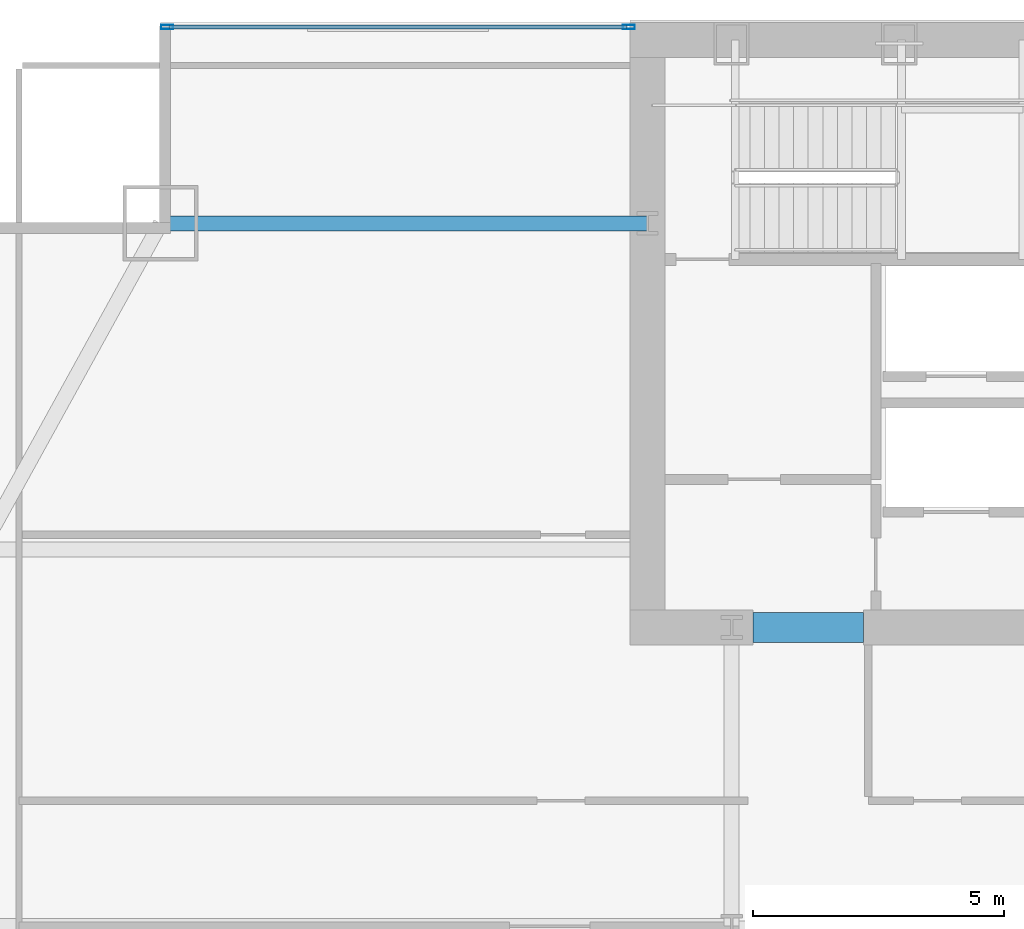
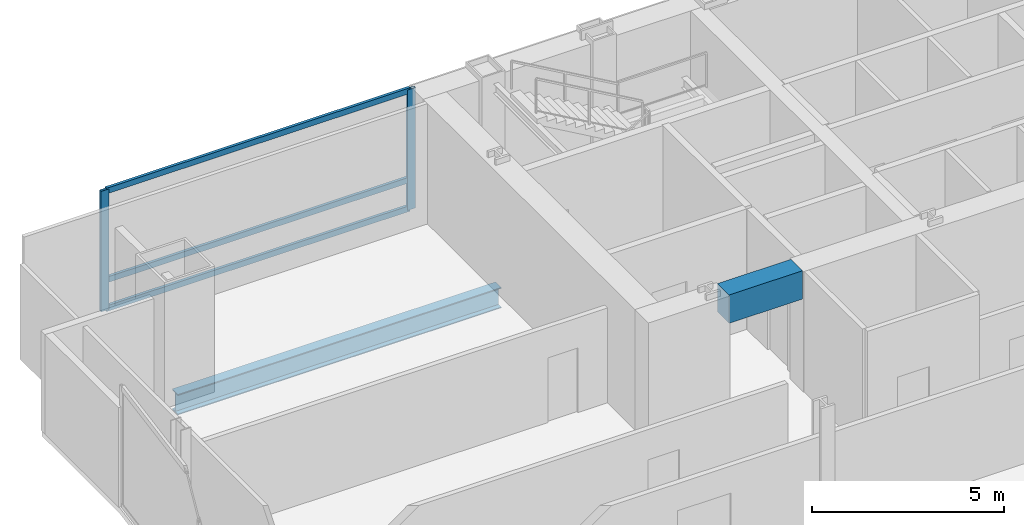
# One storey, part 18 of 30: 5 members, 2 beams, 1 element without a shape of its own.
"""IFC4 building model written with IfcOpenShell, lengths in metres."""

from ifc_helpers import new_model, si_unit, direction, frame, origin, origin_2d, place, context, subcontext, project, spatial, rectangle, hollow_rectangle, i_section, extrude, material, material_profile, profile_set, type_object, element, aggregate, save


model = new_model("IFC4")

# Units and contexts
model_context = context("Model", 3, precision=1e-05, world=origin(), true_north=direction((0.0, 1.0)))
body_context = subcontext(model_context, "Body", "Model", "MODEL_VIEW")
ifc_project = project(units=[si_unit("LENGTHUNIT", "METRE"), si_unit("AREAUNIT", "SQUARE_METRE"), si_unit("VOLUMEUNIT", "CUBIC_METRE"), si_unit("PLANEANGLEUNIT", "RADIAN"), si_unit("MASSUNIT", "GRAM", prefix="KILO")], contexts=[model_context])

# Site, building, storey
site_placement = place(None, origin())
site = spatial("IfcSite", under=ifc_project, at=site_placement, CompositionType="ELEMENT")
building_placement = place(site_placement, origin())
building = spatial("IfcBuilding", under=site, at=building_placement, Name="Khoronbel Lancet Exchange", CompositionType="ELEMENT")
storey_placement = place(building_placement, frame((0.0, 0.0, 90.60009765625)))
storey = spatial("IfcBuildingStorey", under=building, at=storey_placement, Name="L21", CompositionType="ELEMENT", Elevation=90.60009765625)

# Beams
ifc_material_1 = material(Name="Concrete C80/95", Category="concrete")
ifc_material_profile_1 = material_profile(ifc_material_1, rectangle(XDim=0.60009765625, YDim=0.89990234375, at=origin_2d()), Name="RC 600x900")
ifc_profile_set_1 = profile_set([ifc_material_profile_1], Name="Concrete C80/95")
beam_type_1 = type_object("IfcBeamType", Name="BM-BL1", PredefinedType="LINTEL", material=ifc_profile_set_1)
beam_1_placement = place(storey_placement, frame((18.64990234375, 41.64990234375, 3.369873046875), z_axis=(1.0, 0.0, 0.0), x_axis=(0.0, 1.0, 0.0)))
element("IfcBeam", 1, at=beam_1_placement, inside=storey, type_object=beam_type_1, Name="Level L21 rear core coupling lintel L1", PredefinedType="LINTEL", context=body_context, shape_type="SweptSolid", body=[
    extrude(rectangle(XDim=0.60009765625, YDim=0.89990234375, at=origin_2d()), origin(), (0.0, 0.0, 1.0), 2.2001953125),
])
ifc_material_2 = material(Name="Steel S355", Category="steel")
ifc_material_profile_2 = material_profile(ifc_material_2, i_section(OverallWidth=0.300048828125, OverallDepth=0.64990234375, WebThickness=0.01611328125, FlangeThickness=0.031005859375, at=origin_2d()), Name="HEB 650")
ifc_profile_set_2 = profile_set([ifc_material_profile_2], Name="Steel S355")
beam_type_2 = type_object("IfcBeamType", Name="BM-BSP1", PredefinedType="SPANDREL", material=ifc_profile_set_2)
beam_2_placement = place(storey_placement, frame((6.85009765625, 49.699951171875, -0.505126953125), z_axis=(1.0, 0.0, 0.0), x_axis=(0.0, 1.0, 0.0)))
element("IfcBeam", 2, at=beam_2_placement, inside=storey, type_object=beam_type_2, Name="Level L21 north flank tie spandrel SP22", PredefinedType="SPANDREL", context=body_context, shape_type="SweptSolid", body=[
    extrude(i_section(OverallWidth=0.300048828125, OverallDepth=0.64990234375, WebThickness=0.01611328125, FlangeThickness=0.031005859375, at=origin_2d()), origin(), (0.0, 0.0, 1.0), 9.699951171875),
])

# Curtain wall, members
ifc_material_3 = material(Name="Low-E Solar Control Insulating Glass", Category="glass")
curtain_wall_type = type_object("IfcCurtainWallType", Name="CW-2", PredefinedType="NOTDEFINED", material=ifc_material_3)
curtain_wall_placement = place(storey_placement, origin())
curtain_wall = element("IfcCurtainWall", 3, at=curtain_wall_placement, inside=storey, type_object=curtain_wall_type, Name="Unitised curtain wall CW-L21-NWFLK", PredefinedType="NOTDEFINED")
ifc_material_4 = material(Name="Bronze-Anodised Aluminium 6063-T6", Category="aluminium")
ifc_material_profile_3 = material_profile(ifc_material_4, hollow_rectangle(XDim=0.0849609375, YDim=0.239990234375, WallThickness=0.006103515625, at=origin_2d()), Name="ALU MULLION 85x240")
ifc_profile_set_3 = profile_set([ifc_material_profile_3], Name="Bronze-Anodised Aluminium 6063-T6")
member_type_1 = type_object("IfcMemberType", Name="MEM-CWM1", PredefinedType="MULLION", material=ifc_profile_set_3)
member_1_placement = place(storey_placement, frame((16.177490234375, 53.610107421875, 0.0), z_axis=(0.0, 0.0, 1.0), x_axis=(0.0, -1.0, 0.0)))
member_1 = element("IfcMember", 4, at=member_1_placement, type_object=member_type_1, Name="CW2 mullion 1", PredefinedType="MULLION", context=body_context, shape_type="SweptSolid", body=[
    extrude(hollow_rectangle(XDim=0.0849609375, YDim=0.239990234375, WallThickness=0.006103515625, at=origin_2d()), origin(), (0.0, 0.0, 1.0), 3.81982421875),
])
member_2_placement = place(storey_placement, frame((6.982421875, 53.610107421875, 0.0), z_axis=(0.0, 0.0, 1.0), x_axis=(0.0, -1.0, 0.0)))
member_2 = element("IfcMember", 5, at=member_2_placement, type_object=member_type_1, Name="CW2 mullion 2", PredefinedType="MULLION", context=body_context, shape_type="SweptSolid", body=[
    extrude(hollow_rectangle(XDim=0.0849609375, YDim=0.239990234375, WallThickness=0.006103515625, at=origin_2d()), origin(), (0.0, 0.0, 1.0), 3.81982421875),
])
ifc_material_profile_4 = material_profile(ifc_material_4, hollow_rectangle(XDim=0.0849609375, YDim=0.179931640625, WallThickness=0.0048828125, at=origin_2d()), Name="ALU TRANSOM 85x180")
ifc_profile_set_4 = profile_set([ifc_material_profile_4], Name="Bronze-Anodised Aluminium 6063-T6")
member_type_2 = type_object("IfcMemberType", Name="MEM-CWT1", PredefinedType="USERDEFINED", material=ifc_profile_set_4)
member_3_placement = place(storey_placement, frame((16.135009765625, 53.610107421875, 0.04248046875), z_axis=(-1.0, 0.0, 0.0), x_axis=(0.0, -1.0, 0.0)))
member_3 = element("IfcMember", 6, at=member_3_placement, type_object=member_type_2, Name="CW2 transom 1.1", ObjectType="TRANSOM", PredefinedType="USERDEFINED", context=body_context, shape_type="SweptSolid", body=[
    extrude(hollow_rectangle(XDim=0.0849609375, YDim=0.179931640625, WallThickness=0.0048828125, at=origin_2d()), origin(), (0.0, 0.0, 1.0), 9.110107421875),
])
member_4_placement = place(storey_placement, frame((16.135009765625, 53.610107421875, 0.949951171875), z_axis=(-1.0, 0.0, 0.0), x_axis=(0.0, -1.0, 0.0)))
member_4 = element("IfcMember", 7, at=member_4_placement, type_object=member_type_2, Name="CW2 transom 1.2", ObjectType="TRANSOM", PredefinedType="USERDEFINED", context=body_context, shape_type="SweptSolid", body=[
    extrude(hollow_rectangle(XDim=0.0849609375, YDim=0.179931640625, WallThickness=0.0048828125, at=origin_2d()), origin(), (0.0, 0.0, 1.0), 9.110107421875),
])
member_5_placement = place(storey_placement, frame((16.135009765625, 53.610107421875, 3.77734375), z_axis=(-1.0, 0.0, 0.0), x_axis=(0.0, -1.0, 0.0)))
member_5 = element("IfcMember", 8, at=member_5_placement, type_object=member_type_2, Name="CW2 transom 1.3", ObjectType="TRANSOM", PredefinedType="USERDEFINED", context=body_context, shape_type="SweptSolid", body=[
    extrude(hollow_rectangle(XDim=0.0849609375, YDim=0.179931640625, WallThickness=0.0048828125, at=origin_2d()), origin(), (0.0, 0.0, 1.0), 9.110107421875),
])
aggregate(curtain_wall, [member_1, member_2, member_3, member_4, member_5])

save(model, "model.ifc")
